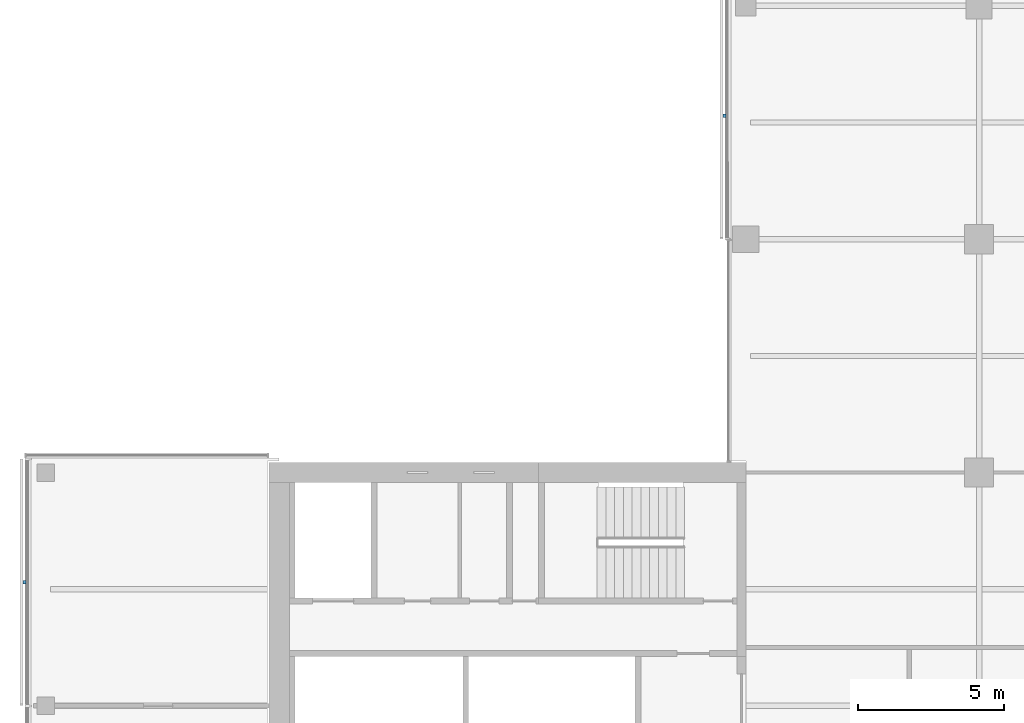
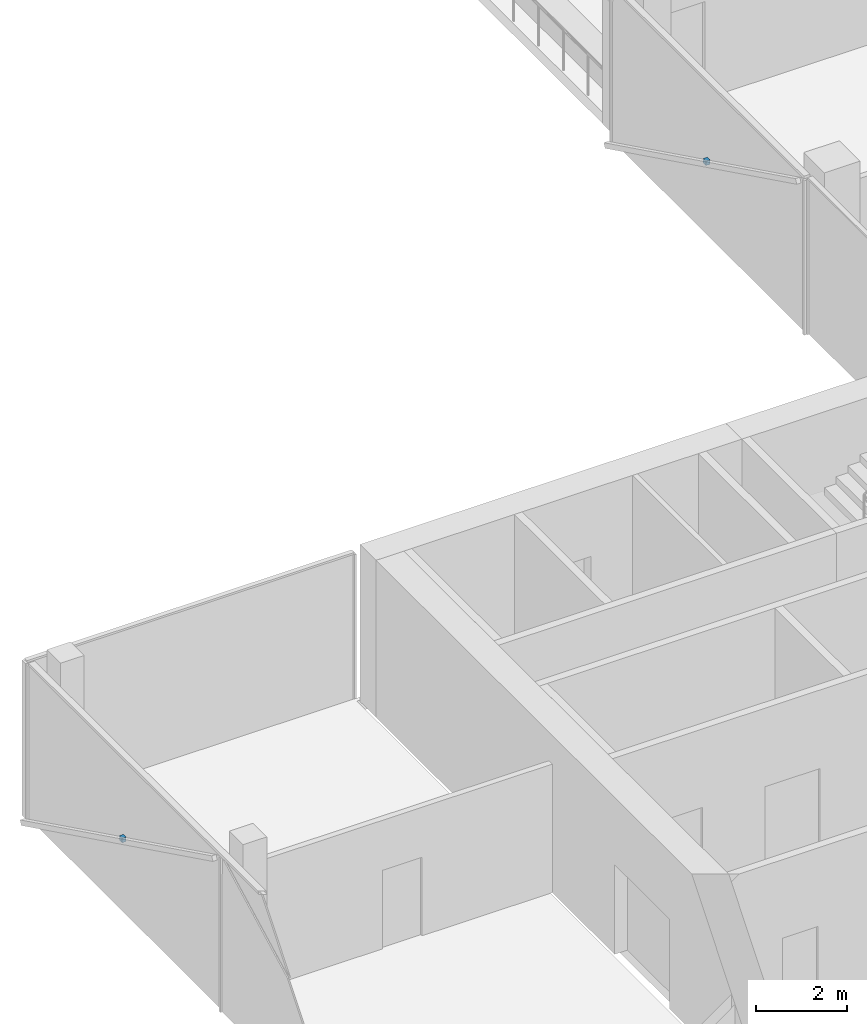
# One storey, part 22 of 24: 2 discrete accessories.
"""IFC4 building model written with IfcOpenShell, lengths in metres."""

from ifc_helpers import new_model, si_unit, direction, frame, origin, origin_2d, place, context, subcontext, project, spatial, rectangle, extrude, material, type_object, element, save


model = new_model("IFC4")

# Units and contexts
model_context = context("Model", 3, precision=1e-05, world=origin(), true_north=direction((0.0, 1.0)))
body_context = subcontext(model_context, "Body", "Model", "MODEL_VIEW")
ifc_project = project(units=[si_unit("LENGTHUNIT", "METRE"), si_unit("AREAUNIT", "SQUARE_METRE"), si_unit("VOLUMEUNIT", "CUBIC_METRE"), si_unit("PLANEANGLEUNIT", "RADIAN"), si_unit("MASSUNIT", "GRAM", prefix="KILO")], contexts=[model_context])

# Site, building, storey
site_placement = place(None, origin())
site = spatial("IfcSite", under=ifc_project, at=site_placement, CompositionType="ELEMENT")
building_placement = place(site_placement, origin())
building = spatial("IfcBuilding", under=site, at=building_placement, Name="Crosswind Convention Tower", CompositionType="ELEMENT")
storey_placement = place(building_placement, frame((0.0, 0.0, 112.699951171875)))
storey = spatial("IfcBuildingStorey", under=building, at=storey_placement, Name="L22", CompositionType="ELEMENT", Elevation=112.699951171875)

# Discrete accessories
ifc_material = material(Name="Stainless steel", Category="steel")
discrete_accessory_type = type_object("IfcDiscreteAccessoryType", Name="BAGUETTE BRACKET BK3", PredefinedType="BRACKET", material=ifc_material)
for number, where, z_axis, x_axis, name in (
    (1, (112.27392578125, 124.232421875, 1.705078125), (0.0, 0.0, 1.0), (0.0, -1.0, 0.0), "BK3 baguette bracket"),
    (2, (88.27392578125, 108.232421875, 1.705078125), (0.0, 0.0, 1.0), (0.0, -1.0, 0.0), "BK3 baguette bracket"),
):
    element("IfcDiscreteAccessory", number, at=place(storey_placement, frame(where, z_axis=z_axis, x_axis=x_axis)), inside=storey, type_object=discrete_accessory_type, Name=name, PredefinedType="BRACKET", context=body_context, shape_type="SweptSolid", body=[
        extrude(rectangle(XDim=0.1201171875, YDim=0.10009765625, at=origin_2d()), origin(), (0.0, 0.0, 1.0), 0.1201171875),
    ])

save(model, "model.ifc")
